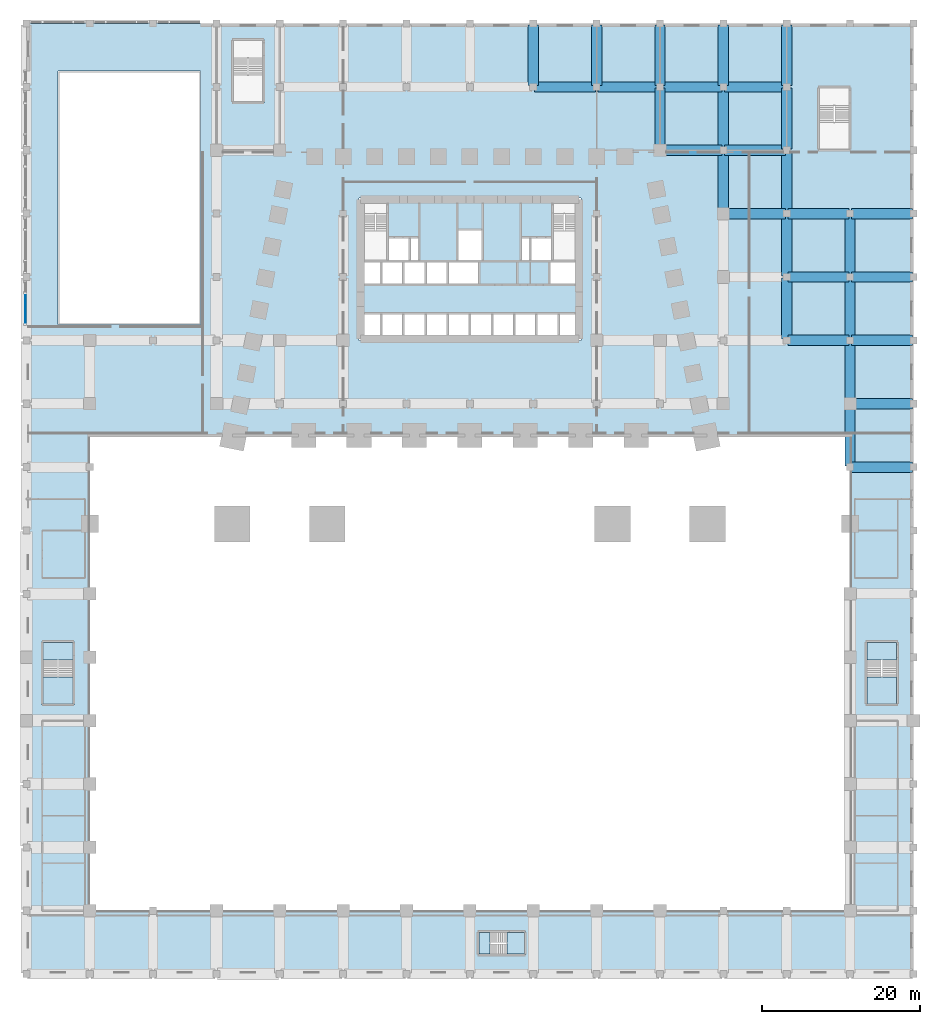
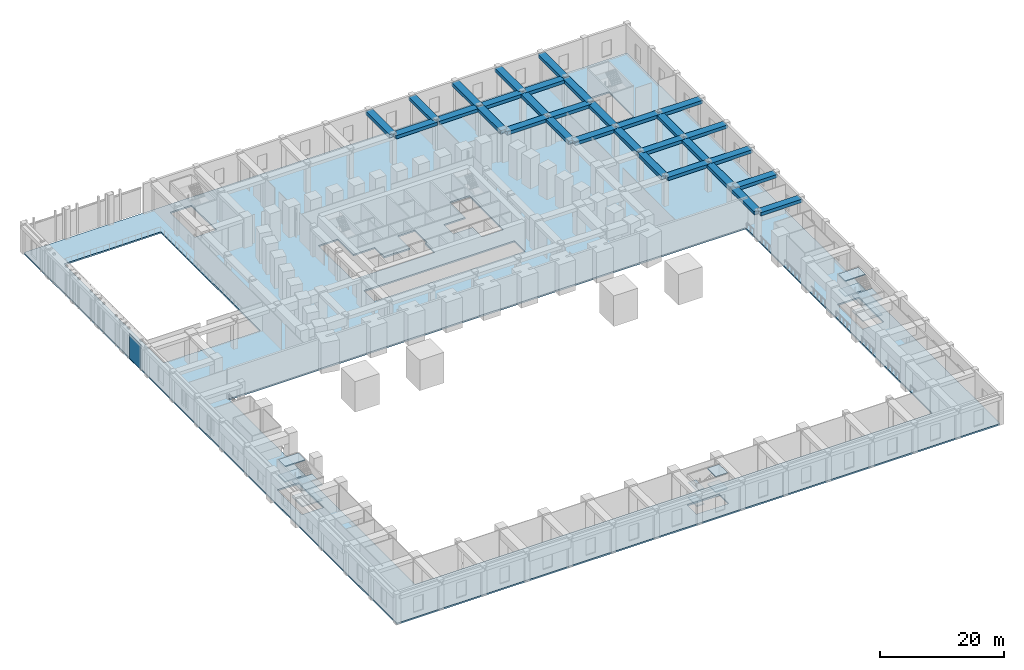
# One storey, part 3 of 25: 31 beams, 13 slabs, 1 plate, 4 elements without a shape of their own.
"""IFC4 building model written with IfcOpenShell, lengths in metres."""

from ifc_helpers import new_model, si_unit, direction, frame, origin, origin_2d, place, context, subcontext, project, spatial, polyline, rectangle, outline, extrude, material, layer, layer_set, material_profile, profile_set, type_object, element, aggregate, save


model = new_model("IFC4")

# Units and contexts
model_context = context("Model", 3, precision=1e-05, world=origin(), true_north=direction((0.0, 1.0)))
body_context = subcontext(model_context, "Body", "Model", "MODEL_VIEW")
ifc_project = project(units=[si_unit("LENGTHUNIT", "METRE"), si_unit("AREAUNIT", "SQUARE_METRE"), si_unit("VOLUMEUNIT", "CUBIC_METRE"), si_unit("PLANEANGLEUNIT", "RADIAN"), si_unit("MASSUNIT", "GRAM", prefix="KILO")], contexts=[model_context])

# Site, building, storey
site_placement = place(None, origin())
site = spatial("IfcSite", under=ifc_project, at=site_placement, CompositionType="ELEMENT")
building_placement = place(site_placement, origin())
building = spatial("IfcBuilding", under=site, at=building_placement, Name="Isbrekke Arena Tower", CompositionType="ELEMENT")
storey_placement = place(building_placement, frame((0.0, 0.0, 6.0)))
storey = spatial("IfcBuildingStorey", under=building, at=storey_placement, Name="L01", CompositionType="ELEMENT", Elevation=6.0)

# Beams
ifc_material_1 = material(Name="Concrete B45 (C45/55)", Category="concrete")
ifc_material_profile = material_profile(ifc_material_1, rectangle(XDim=1.300048828125, YDim=0.64990234375, at=origin_2d()), Name="RC 1300x650")
ifc_profile_set = profile_set([ifc_material_profile], Name="Concrete B45 (C45/55)")
beam_type = type_object("IfcBeamType", Name="PB1 RC 1300 x 650", PredefinedType="BEAM", material=ifc_profile_set)
for number, where, z_axis, x_axis, name in (
    (1, (48.14990234375, -10.0, 5.375), (1.0, 0.0, 0.0), (0.0, 1.0, 0.0), "PB1 podium beam I14 L02"),
    (2, (48.0, -9.85009765625, 5.375), (0.0, 1.0, 0.0), (-1.0, 0.0, 0.0), "PB1 podium beam I14 L02"),
    (3, (48.14990234375, -2.0, 5.375), (1.0, 0.0, 0.0), (0.0, 1.0, 0.0), "PB1 podium beam J14 L02"),
    (4, (48.0, -1.85009765625, 5.375), (0.0, 1.0, 0.0), (-1.0, 0.0, 0.0), "PB1 podium beam J14 L02"),
    (5, (40.14990234375, 6.0, 5.375), (1.0, 0.0, 0.0), (0.0, 1.0, 0.0), "PB1 podium beam K13 L02"),
    (6, (40.0, 6.14990234375, 5.375), (0.0, 1.0, 0.0), (-1.0, 0.0, 0.0), "PB1 podium beam K13 L02"),
    (7, (48.14990234375, 6.0, 5.375), (1.0, 0.0, 0.0), (0.0, 1.0, 0.0), "PB1 podium beam K14 L02"),
    (8, (48.0, 6.14990234375, 5.375), (0.0, 1.0, 0.0), (-1.0, 0.0, 0.0), "PB1 podium beam K14 L02"),
    (9, (40.14990234375, 14.0, 5.375), (1.0, 0.0, 0.0), (0.0, 1.0, 0.0), "PB1 podium beam L13 L02"),
    (10, (40.0, 14.14990234375, 5.375), (0.0, 1.0, 0.0), (-1.0, 0.0, 0.0), "PB1 podium beam L13 L02"),
    (11, (48.14990234375, 14.0, 5.375), (1.0, 0.0, 0.0), (0.0, 1.0, 0.0), "PB1 podium beam L14 L02"),
    (12, (48.0, 14.14990234375, 5.375), (0.0, 1.0, 0.0), (-1.0, 0.0, 0.0), "PB1 podium beam L14 L02"),
    (13, (32.14990234375, 22.0, 5.375), (1.0, 0.0, 0.0), (0.0, 1.0, 0.0), "PB1 podium beam M12 L02"),
    (14, (32.0, 22.14990234375, 5.375), (0.0, 1.0, 0.0), (-1.0, 0.0, 0.0), "PB1 podium beam M12 L02"),
    (15, (40.14990234375, 22.0, 5.375), (1.0, 0.0, 0.0), (0.0, 1.0, 0.0), "PB1 podium beam M13 L02"),
    (16, (40.0, 22.14990234375, 5.375), (0.0, 1.0, 0.0), (-1.0, 0.0, 0.0), "PB1 podium beam M13 L02"),
    (17, (48.14990234375, 22.0, 5.375), (1.0, 0.0, 0.0), (0.0, 1.0, 0.0), "PB1 podium beam M14 L02"),
    (18, (24.14990234375, 30.0, 5.375), (1.0, 0.0, 0.0), (0.0, 1.0, 0.0), "PB1 podium beam N11 L02"),
    (19, (24.0, 30.14990234375, 5.375), (0.0, 1.0, 0.0), (-1.0, 0.0, 0.0), "PB1 podium beam N11 L02"),
    (20, (32.14990234375, 30.0, 5.375), (1.0, 0.0, 0.0), (0.0, 1.0, 0.0), "PB1 podium beam N12 L02"),
    (21, (32.0, 30.14990234375, 5.375), (0.0, 1.0, 0.0), (-1.0, 0.0, 0.0), "PB1 podium beam N12 L02"),
    (22, (40.0, 30.14990234375, 5.375), (0.0, 1.0, 0.0), (-1.0, 0.0, 0.0), "PB1 podium beam N13 L02"),
    (23, (8.14990234375, 38.0, 5.375), (1.0, 0.0, 0.0), (0.0, 1.0, 0.0), "PB1 podium beam O9 L02"),
    (24, (8.0, 38.14990234375, 5.375), (0.0, 1.0, 0.0), (-1.0, 0.0, 0.0), "PB1 podium beam O9 L02"),
    (25, (16.14990234375, 38.0, 5.375), (1.0, 0.0, 0.0), (0.0, 1.0, 0.0), "PB1 podium beam O10 L02"),
    (26, (16.0, 38.14990234375, 5.375), (0.0, 1.0, 0.0), (-1.0, 0.0, 0.0), "PB1 podium beam O10 L02"),
    (27, (24.14990234375, 38.0, 5.375), (1.0, 0.0, 0.0), (0.0, 1.0, 0.0), "PB1 podium beam O11 L02"),
    (28, (24.0, 38.14990234375, 5.375), (0.0, 1.0, 0.0), (-1.0, 0.0, 0.0), "PB1 podium beam O11 L02"),
    (29, (32.14990234375, 38.0, 5.375), (1.0, 0.0, 0.0), (0.0, 1.0, 0.0), "PB1 podium beam O12 L02"),
    (30, (32.0, 38.14990234375, 5.375), (0.0, 1.0, 0.0), (-1.0, 0.0, 0.0), "PB1 podium beam O12 L02"),
    (31, (40.0, 38.14990234375, 5.375), (0.0, 1.0, 0.0), (-1.0, 0.0, 0.0), "PB1 podium beam O13 L02"),
):
    element("IfcBeam", number, at=place(storey_placement, frame(where, z_axis=z_axis, x_axis=x_axis)), inside=storey, type_object=beam_type, Name=name, PredefinedType="BEAM", context=body_context, shape_type="SweptSolid", body=[
        extrude(rectangle(XDim=1.300048828125, YDim=0.64990234375, at=origin_2d()), origin(), (0.0, 0.0, 1.0), 7.7001953125),
    ])

# Curtain wall, plate
ifc_material_2 = material(Name="Glazed aluminium curtain wall", Category="aluminium")
curtain_wall_type = type_object("IfcCurtainWallType", Name="CWP ATRIUM CURTAIN WALL", PredefinedType="USERDEFINED", material=ifc_material_2)
curtain_wall_placement = place(storey_placement, origin())
curtain_wall = element("IfcCurtainWall", 32, at=curtain_wall_placement, inside=storey, type_object=curtain_wall_type, Name="CWP curtain wall L01-PW5", ObjectType="ATRIUM CURTAIN WALL", PredefinedType="USERDEFINED")
ifc_material_3 = material(Name="Triple-glazed clear glass unit", Category="glass")
ifc_layer_1 = layer(ifc_material_3, 0.031982421875)
ifc_layer_set_1 = layer_set([ifc_layer_1], Name="CWP-P VISION PANEL")
plate_type = type_object("IfcPlateType", Name="CWP-P VISION PANEL", PredefinedType="CURTAIN_PANEL", material=ifc_layer_set_1)
plate_placement = place(storey_placement, frame((-56.10009765625, 10.0, 0.02001953125), z_axis=(0.0, 0.0, 1.0), x_axis=(0.0, -1.0, 0.0)))
plate = element("IfcPlate", 33, at=plate_placement, type_object=plate_type, Name="CWP-P panel 2", PredefinedType="CURTAIN_PANEL", context=body_context, shape_type="SweptSolid", body=[
    extrude(rectangle(XDim=3.699951171875, YDim=0.031982421875, at=origin_2d()), origin(), (0.0, 0.0, 1.0), 4.8798828125),
])
aggregate(curtain_wall, [plate])

# Slab
ifc_material_4 = material(Name="Concrete B45 (C45/55)", Category="concrete")
ifc_layer_2 = layer(ifc_material_4, 0.300048828125)
ifc_layer_set_2 = layer_set([ifc_layer_2], Name="PS1 PODIUM FLOOR 300")
slab_type_1 = type_object("IfcSlabType", Name="PS1 PODIUM FLOOR 300", PredefinedType="FLOOR", material=ifc_layer_set_2)
slab_1_placement = place(storey_placement, frame((0.0, 0.0, -0.2998046875)))
element("IfcSlab", 34, at=slab_1_placement, inside=storey, type_object=slab_type_1, Name="PS1 slab L01 part 1", PredefinedType="FLOOR", context=body_context, shape_type="SweptSolid", body=[
    extrude(outline(polyline([(-56.0, -74.0), (56.0, -74.0), (56.0, 46.0), (-56.0, 46.0), (-56.0, -74.0)]), holes=[polyline([(7.0, -71.60009765625), (1.0, -71.60009765625), (1.0, -68.60009765625), (7.0, -68.60009765625), (7.0, -71.60009765625)]), polyline([(48.0, -66.0), (-48.0, -66.0), (-48.0, -6.0), (48.0, -6.0), (48.0, -66.0)]), polyline([(-50.0, -40.0), (-54.0, -40.0), (-54.0, -32.0), (-50.0, -32.0), (-50.0, -40.0)]), polyline([(50.0, -40.0), (50.0, -32.0), (54.0, -32.0), (54.0, -40.0), (50.0, -40.0)]), polyline([(14.0, 9.39990234375), (14.0, 6.0), (-14.0, 6.0), (-14.0, 9.39990234375), (14.0, 9.39990234375)]), polyline([(-34.0, 8.0), (-52.0, 8.0), (-52.0, 40.0), (-34.0, 40.0), (-34.0, 8.0)]), polyline([(-1.60009765625, 20.0), (1.60009765625, 20.0), (1.60009765625, 16.0), (1.199951171875, 16.0), (1.199951171875, 13.0), (-14.0, 13.0), (-14.0, 24.0), (-10.39990234375, 24.0), (-10.39990234375, 19.0), (-6.39990234375, 19.0), (-6.39990234375, 16.0), (-1.60009765625, 16.0), (-1.60009765625, 20.0)]), polyline([(6.39990234375, 19.0), (10.39990234375, 19.0), (10.39990234375, 24.0), (14.0, 24.0), (14.0, 13.0), (10.0, 13.0), (10.0, 16.0), (6.39990234375, 16.0), (6.39990234375, 19.0)]), polyline([(44.0, 30.0), (44.0, 38.0), (48.0, 38.0), (48.0, 30.0), (44.0, 30.0)]), polyline([(-30.0, 36.0), (-30.0, 44.0), (-26.0, 44.0), (-26.0, 36.0), (-30.0, 36.0)])]), origin(), (0.0, 0.0, 1.0), 0.2998046875),
])

# Stair, slabs
ifc_material_5 = material(Name="Concrete B45 (C45/55) precast", Category="concrete")
stair_type_1 = type_object("IfcStairType", Name="ST60 STAIR 1800 WIDE, 36 RISERS 167", PredefinedType="HALF_TURN_STAIR", material=ifc_material_5)
stair_1_placement = place(storey_placement, origin())
stair_1 = element("IfcStair", 35, at=stair_1_placement, inside=storey, type_object=stair_type_1, Name="P3 stair L01", PredefinedType="HALF_TURN_STAIR")
ifc_material_6 = material(Name="Concrete B35 (C35/45)", Category="concrete")
ifc_layer_3 = layer(ifc_material_6, 0.199951171875)
ifc_layer_set_3 = layer_set([ifc_layer_3], Name="SL1 STAIR LANDING 200")
slab_type_2 = type_object("IfcSlabType", Name="SL1 STAIR LANDING 200", PredefinedType="LANDING", material=ifc_layer_set_3)
slab_2_placement = place(storey_placement, frame((0.0, 0.0, 1.300048828125)))
slab_2 = element("IfcSlab", 36, at=slab_2_placement, type_object=slab_type_2, Name="P3 landing 1", PredefinedType="LANDING", context=body_context, shape_type="SweptSolid", body=[
    extrude(outline(polyline([(50.125, -39.875), (53.875, -39.875), (53.875, -36.485107421875), (50.125, -36.485107421875), (50.125, -39.875)])), origin(), (0.0, 0.0, 1.0), 0.199951171875),
])
slab_3_placement = place(storey_placement, frame((0.0, 0.0, 2.800048828125)))
slab_3 = element("IfcSlab", 37, at=slab_3_placement, type_object=slab_type_2, Name="P3 landing 2", PredefinedType="LANDING", context=body_context, shape_type="SweptSolid", body=[
    extrude(outline(polyline([(50.125, -34.324951171875), (53.875, -34.324951171875), (53.875, -32.125), (50.125, -32.125), (50.125, -34.324951171875)])), origin(), (0.0, 0.0, 1.0), 0.199951171875),
])
slab_4_placement = place(storey_placement, frame((0.0, 0.0, 4.300048828125)))
slab_4 = element("IfcSlab", 38, at=slab_4_placement, type_object=slab_type_2, Name="P3 landing 3", PredefinedType="LANDING", context=body_context, shape_type="SweptSolid", body=[
    extrude(outline(polyline([(50.125, -39.875), (53.875, -39.875), (53.875, -36.485107421875), (50.125, -36.485107421875), (50.125, -39.875)])), origin(), (0.0, 0.0, 1.0), 0.199951171875),
])
slab_5_placement = place(storey_placement, frame((0.0, 0.0, 5.800048828125)))
slab_5 = element("IfcSlab", 39, at=slab_5_placement, type_object=slab_type_2, Name="P3 landing 4", PredefinedType="LANDING", context=body_context, shape_type="SweptSolid", body=[
    extrude(outline(polyline([(50.125, -34.324951171875), (53.875, -34.324951171875), (53.875, -32.125), (50.125, -32.125), (50.125, -34.324951171875)])), origin(), (0.0, 0.0, 1.0), 0.199951171875),
])
aggregate(stair_1, [slab_2, slab_3, slab_4, slab_5])

stair_2_placement = place(storey_placement, origin())
stair_2 = element("IfcStair", 40, at=stair_2_placement, inside=storey, type_object=stair_type_1, Name="P4 stair L01", PredefinedType="HALF_TURN_STAIR")
slab_6_placement = place(storey_placement, frame((0.0, 0.0, 1.300048828125)))
slab_6 = element("IfcSlab", 41, at=slab_6_placement, type_object=slab_type_2, Name="P4 landing 1", PredefinedType="LANDING", context=body_context, shape_type="SweptSolid", body=[
    extrude(outline(polyline([(-53.875, -39.875), (-50.125, -39.875), (-50.125, -36.485107421875), (-53.875, -36.485107421875), (-53.875, -39.875)])), origin(), (0.0, 0.0, 1.0), 0.199951171875),
])
slab_7_placement = place(storey_placement, frame((0.0, 0.0, 2.800048828125)))
slab_7 = element("IfcSlab", 42, at=slab_7_placement, type_object=slab_type_2, Name="P4 landing 2", PredefinedType="LANDING", context=body_context, shape_type="SweptSolid", body=[
    extrude(outline(polyline([(-53.875, -34.324951171875), (-50.125, -34.324951171875), (-50.125, -32.125), (-53.875, -32.125), (-53.875, -34.324951171875)])), origin(), (0.0, 0.0, 1.0), 0.199951171875),
])
slab_8_placement = place(storey_placement, frame((0.0, 0.0, 4.300048828125)))
slab_8 = element("IfcSlab", 43, at=slab_8_placement, type_object=slab_type_2, Name="P4 landing 3", PredefinedType="LANDING", context=body_context, shape_type="SweptSolid", body=[
    extrude(outline(polyline([(-53.875, -39.875), (-50.125, -39.875), (-50.125, -36.485107421875), (-53.875, -36.485107421875), (-53.875, -39.875)])), origin(), (0.0, 0.0, 1.0), 0.199951171875),
])
slab_9_placement = place(storey_placement, frame((0.0, 0.0, 5.800048828125)))
slab_9 = element("IfcSlab", 44, at=slab_9_placement, type_object=slab_type_2, Name="P4 landing 4", PredefinedType="LANDING", context=body_context, shape_type="SweptSolid", body=[
    extrude(outline(polyline([(-53.875, -34.324951171875), (-50.125, -34.324951171875), (-50.125, -32.125), (-53.875, -32.125), (-53.875, -34.324951171875)])), origin(), (0.0, 0.0, 1.0), 0.199951171875),
])
aggregate(stair_2, [slab_6, slab_7, slab_8, slab_9])

ifc_material_7 = material(Name="Concrete B45 (C45/55) precast", Category="concrete")
stair_type_2 = type_object("IfcStairType", Name="ST60 STAIR 1300 WIDE, 36 RISERS 167", PredefinedType="HALF_TURN_STAIR", material=ifc_material_7)
stair_3_placement = place(storey_placement, origin())
stair_3 = element("IfcStair", 45, at=stair_3_placement, inside=storey, type_object=stair_type_2, Name="P5 stair L01", PredefinedType="HALF_TURN_STAIR")
slab_10_placement = place(storey_placement, frame((0.0, 0.0, 1.300048828125)))
slab_10 = element("IfcSlab", 46, at=slab_10_placement, type_object=slab_type_2, Name="P5 landing 1", PredefinedType="LANDING", context=body_context, shape_type="SweptSolid", body=[
    extrude(outline(polyline([(1.125, -71.47509765625), (2.514892578125, -71.47509765625), (2.514892578125, -68.72509765625), (1.125, -68.72509765625), (1.125, -71.47509765625)])), origin(), (0.0, 0.0, 1.0), 0.199951171875),
])
slab_11_placement = place(storey_placement, frame((0.0, 0.0, 2.800048828125)))
slab_11 = element("IfcSlab", 47, at=slab_11_placement, type_object=slab_type_2, Name="P5 landing 2", PredefinedType="LANDING", context=body_context, shape_type="SweptSolid", body=[
    extrude(outline(polyline([(4.675048828125, -71.47509765625), (6.875, -71.47509765625), (6.875, -68.72509765625), (4.675048828125, -68.72509765625), (4.675048828125, -71.47509765625)])), origin(), (0.0, 0.0, 1.0), 0.199951171875),
])
slab_12_placement = place(storey_placement, frame((0.0, 0.0, 4.300048828125)))
slab_12 = element("IfcSlab", 48, at=slab_12_placement, type_object=slab_type_2, Name="P5 landing 3", PredefinedType="LANDING", context=body_context, shape_type="SweptSolid", body=[
    extrude(outline(polyline([(1.125, -71.47509765625), (2.514892578125, -71.47509765625), (2.514892578125, -68.72509765625), (1.125, -68.72509765625), (1.125, -71.47509765625)])), origin(), (0.0, 0.0, 1.0), 0.199951171875),
])
slab_13_placement = place(storey_placement, frame((0.0, 0.0, 5.800048828125)))
slab_13 = element("IfcSlab", 49, at=slab_13_placement, type_object=slab_type_2, Name="P5 landing 4", PredefinedType="LANDING", context=body_context, shape_type="SweptSolid", body=[
    extrude(outline(polyline([(4.675048828125, -71.47509765625), (6.875, -71.47509765625), (6.875, -68.72509765625), (4.675048828125, -68.72509765625), (4.675048828125, -71.47509765625)])), origin(), (0.0, 0.0, 1.0), 0.199951171875),
])
aggregate(stair_3, [slab_10, slab_11, slab_12, slab_13])

save(model, "model.ifc")
